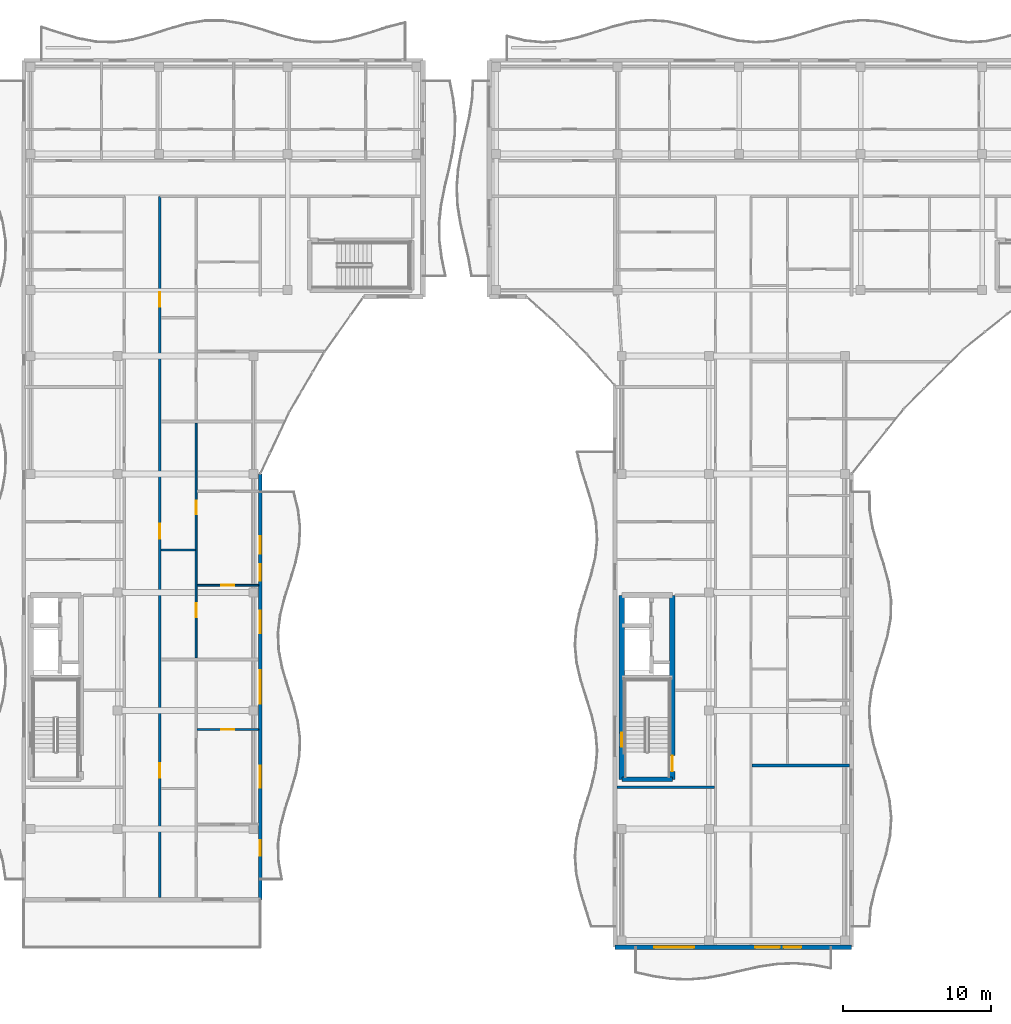
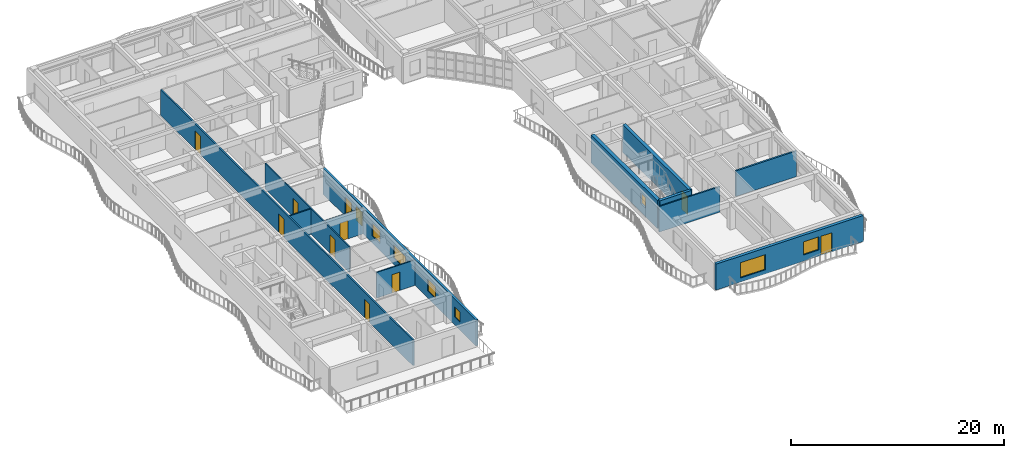
# One storey, part 30 of 72: 12 walls, 10 doors, 8 windows, 18 openings.
"""IFC4 building model written with IfcOpenShell, lengths in metres."""

from ifc_helpers import new_model, si_unit, direction, frame, frame_2d, origin, place, context, subcontext, project, spatial, rectangle, extrude, material, layer, layer_set, type_object, element, fill, save


model = new_model("IFC4")

# Units and contexts
model_context = context("Model", 3, precision=1e-05, world=origin(), true_north=direction((0.0, 1.0)))
body_context = subcontext(model_context, "Body", "Model", "MODEL_VIEW")
ifc_project = project(units=[si_unit("LENGTHUNIT", "METRE"), si_unit("AREAUNIT", "SQUARE_METRE"), si_unit("VOLUMEUNIT", "CUBIC_METRE"), si_unit("PLANEANGLEUNIT", "RADIAN"), si_unit("MASSUNIT", "GRAM", prefix="KILO")], contexts=[model_context])

# Site, building, storey
site_placement = place(None, origin())
site = spatial("IfcSite", under=ifc_project, at=site_placement, CompositionType="ELEMENT")
building_placement = place(site_placement, origin())
building = spatial("IfcBuilding", under=site, at=building_placement, Name="Keldmere Railside Commons", CompositionType="ELEMENT")
storey_placement = place(building_placement, frame((0.0, 0.0, 16.9599609375)))
storey = spatial("IfcBuildingStorey", under=building, at=storey_placement, Name="L05", CompositionType="ELEMENT", Elevation=16.9599609375)

# Wall
ifc_material_1 = material(Name="Acoustic Gypsum Board Partition", Category="gypsum")
ifc_layer_1 = layer(ifc_material_1, 0.179931640625, Name="Acoustic Demising Partition 180")
ifc_layer_set_1 = layer_set([ifc_layer_1], Name="Acoustic Gypsum Board Partition")
wall_type_1 = type_object("IfcWallType", Name="Acoustic Demising Partition 180", PredefinedType="PARTITIONING", material=ifc_layer_set_1)
wall_1_placement = place(storey_placement, frame((57.280029296875, 68.2900390625, 0.0), z_axis=(0.0, 0.0, 1.0), x_axis=(1.0, 0.0, 0.0)))
element("IfcWall", 1, at=wall_1_placement, inside=storey, type_object=wall_type_1, Name="IW-1 IW-L05-0693", PredefinedType="PARTITIONING", context=body_context, shape_type="SweptSolid", body=[
    extrude(rectangle(XDim=6.590087890625, YDim=0.179931640625, at=frame_2d((3.294921875, 0.0))), origin(), (0.0, 0.0, 1.0), 2.93505859375),
])

# Wall, opening, door
ifc_layer_2 = layer(ifc_material_1, 0.1201171875, Name="Apartment Interior Partition 120")
ifc_layer_set_2 = layer_set([ifc_layer_2], Name="Acoustic Gypsum Board Partition")
wall_type_2 = type_object("IfcWallType", Name="Apartment Interior Partition 120", PredefinedType="PARTITIONING", material=ifc_layer_set_2)
wall_2_placement = place(storey_placement, frame((19.719970703125, 70.72998046875, 0.0), z_axis=(0.0, 0.0, 1.0), x_axis=(1.0, 0.0, 0.0)))
wall_2 = element("IfcWall", 2, at=wall_2_placement, inside=storey, type_object=wall_type_2, Name="IW-4 IW-L05-0380", PredefinedType="PARTITIONING", context=body_context, shape_type="SweptSolid", body=[
    extrude(rectangle(XDim=4.159912109375, YDim=0.1201171875, at=frame_2d((2.080078125, 0.0))), origin(), (0.0, 0.0, 1.0), 2.93505859375),
])
opening_1_placement = place(wall_2_placement, frame((1.639892578125, 0.0, 0.0)))
opening_1 = element("IfcOpeningElement", 3, at=opening_1_placement, cuts=wall_2, Name="Opening ID-02", PredefinedType="OPENING", context=body_context, shape_type="SweptSolid", body=[
    extrude(rectangle(XDim=0.8798828125, YDim=2.10009765625, at=frame_2d((0.43994140625, 1.050048828125))), frame((0.0, 0.070068359375, 0.0), z_axis=(0.0, -1.0, 0.0), x_axis=(1.0, 0.0, 0.0)), (0.0, 0.0, 1.0), 0.14013671875),
])
ifc_material_2 = material(Name="Engineered Oak Timber", Category="wood")
door_type_1 = type_object("IfcDoorType", Name="Secondary Bedroom Door 880x2100", OperationType="NOTDEFINED", PredefinedType="DOOR", material=ifc_material_2)
door_1_placement = place(opening_1_placement, origin())
door_1 = element("IfcDoor", 4, at=door_1_placement, inside=storey, type_object=door_type_1, Name="ID-02 IDR-L05-0280", OperationType="SINGLE_SWING_RIGHT", OverallHeight=2.10009765625, OverallWidth=0.8798828125, PredefinedType="DOOR", context=body_context, shape_type="SweptSolid", body=[
    extrude(rectangle(XDim=0.8798828125, YDim=2.10009765625, at=frame_2d((0.43994140625, 1.050048828125))), frame((0.0, 0.02490234375, 0.0), z_axis=(0.0, -1.0, 0.0), x_axis=(1.0, 0.0, 0.0)), (0.0, 0.0, 1.0), 0.050048828125),
])
fill(opening_1, door_1)

# Wall, openings, doors
wall_3_placement = place(storey_placement, frame((19.659912109375, 75.550048828125, 0.0), z_axis=(0.0, 0.0, 1.0), x_axis=(0.0, 1.0, 0.0)))
wall_3 = element("IfcWall", 5, at=wall_3_placement, inside=storey, type_object=wall_type_2, Name="IW-4 IW-L05-0381", PredefinedType="PARTITIONING", context=body_context, shape_type="SweptSolid", body=[
    extrude(rectangle(XDim=15.919921875, YDim=0.1201171875, at=frame_2d((7.9599609375, 0.0))), origin(), (0.0, 0.0, 1.0), 2.93505859375),
])
opening_2_placement = place(wall_3_placement, frame((2.781494140625, 0.0, 0.0)))
opening_2 = element("IfcOpeningElement", 6, at=opening_2_placement, cuts=wall_3, Name="Opening ID-05", PredefinedType="OPENING", context=body_context, shape_type="SweptSolid", body=[
    extrude(rectangle(XDim=0.93994140625, YDim=2.10009765625, at=frame_2d((0.469970703125, 1.050048828125))), frame((0.0, 0.070068359375, 0.0), z_axis=(0.0, -1.0, 0.0), x_axis=(1.0, 0.0, 0.0)), (0.0, 0.0, 1.0), 0.14013671875),
])
opening_3_placement = place(wall_3_placement, frame((9.72802734375, 0.0, 0.0)))
opening_3 = element("IfcOpeningElement", 7, at=opening_3_placement, cuts=wall_3, Name="Opening ID-03", PredefinedType="OPENING", context=body_context, shape_type="SweptSolid", body=[
    extrude(rectangle(XDim=0.919921875, YDim=2.10009765625, at=frame_2d((0.4599609375, 1.050048828125))), frame((0.0, 0.070068359375, 0.0), z_axis=(0.0, -1.0, 0.0), x_axis=(1.0, 0.0, 0.0)), (0.0, 0.0, 1.0), 0.14013671875),
])
door_type_2 = type_object("IfcDoorType", Name="Accessible Bathroom Door 940x2100", OperationType="NOTDEFINED", PredefinedType="DOOR", material=ifc_material_2)
door_2_placement = place(opening_2_placement, origin())
door_2 = element("IfcDoor", 8, at=door_2_placement, inside=storey, type_object=door_type_2, Name="ID-05 IDR-L05-0281", OperationType="SINGLE_SWING_LEFT", OverallHeight=2.10009765625, OverallWidth=0.93994140625, PredefinedType="DOOR", context=body_context, shape_type="SweptSolid", body=[
    extrude(rectangle(XDim=0.93994140625, YDim=2.10009765625, at=frame_2d((0.469970703125, 1.050048828125))), frame((0.0, 0.02490234375, 0.0), z_axis=(0.0, -1.0, 0.0), x_axis=(1.0, 0.0, 0.0)), (0.0, 0.0, 1.0), 0.050048828125),
])
fill(opening_2, door_2)
door_type_3 = type_object("IfcDoorType", Name="Kitchen Pocket-Frame Swing Door 920x2100", OperationType="NOTDEFINED", PredefinedType="DOOR", material=ifc_material_2)
door_3_placement = place(opening_3_placement, origin())
door_3 = element("IfcDoor", 9, at=door_3_placement, inside=storey, type_object=door_type_3, Name="ID-03 IDR-L05-0282", OperationType="SINGLE_SWING_RIGHT", OverallHeight=2.10009765625, OverallWidth=0.919921875, PredefinedType="DOOR", context=body_context, shape_type="SweptSolid", body=[
    extrude(rectangle(XDim=0.919921875, YDim=2.10009765625, at=frame_2d((0.4599609375, 1.050048828125))), frame((0.0, 0.02490234375, 0.0), z_axis=(0.0, -1.0, 0.0), x_axis=(1.0, 0.0, 0.0)), (0.0, 0.0, 1.0), 0.050048828125),
])
fill(opening_3, door_3)

# Wall, opening, door
wall_4_placement = place(storey_placement, frame((19.719970703125, 80.489990234375, 0.0), z_axis=(0.0, 0.0, 1.0), x_axis=(1.0, 0.0, 0.0)))
wall_4 = element("IfcWall", 10, at=wall_4_placement, inside=storey, type_object=wall_type_2, Name="IW-4 IW-L05-0383", PredefinedType="PARTITIONING", context=body_context, shape_type="SweptSolid", body=[
    extrude(rectangle(XDim=4.159912109375, YDim=0.1201171875, at=frame_2d((2.080078125, 0.0))), origin(), (0.0, 0.0, 1.0), 2.93505859375),
])
opening_4_placement = place(wall_4_placement, frame((1.6298828125, 0.0, 0.0)))
opening_4 = element("IfcOpeningElement", 11, at=opening_4_placement, cuts=wall_4, Name="Opening ID-01", PredefinedType="OPENING", context=body_context, shape_type="SweptSolid", body=[
    extrude(rectangle(XDim=0.89990234375, YDim=2.10009765625, at=frame_2d((0.449951171875, 1.050048828125))), frame((0.0, 0.070068359375, 0.0), z_axis=(0.0, -1.0, 0.0), x_axis=(1.0, 0.0, 0.0)), (0.0, 0.0, 1.0), 0.14013671875),
])
door_type_4 = type_object("IfcDoorType", Name="Primary Bedroom Door 900x2100", OperationType="NOTDEFINED", PredefinedType="DOOR", material=ifc_material_2)
door_4_placement = place(opening_4_placement, origin())
door_4 = element("IfcDoor", 12, at=door_4_placement, inside=storey, type_object=door_type_4, Name="ID-01 IDR-L05-0284", OperationType="SINGLE_SWING_RIGHT", OverallHeight=2.10009765625, OverallWidth=0.89990234375, PredefinedType="DOOR", context=body_context, shape_type="SweptSolid", body=[
    extrude(rectangle(XDim=0.89990234375, YDim=2.10009765625, at=frame_2d((0.449951171875, 1.050048828125))), frame((0.0, 0.02490234375, 0.0), z_axis=(0.0, -1.0, 0.0), x_axis=(1.0, 0.0, 0.0)), (0.0, 0.0, 1.0), 0.050048828125),
])
fill(opening_4, door_4)

# Wall, opening, window
ifc_material_3 = material(Name="Concrete H-40 (C40/50)", Category="concrete")
ifc_layer_3 = layer(ifc_material_3, 0.3798828125, Name="Core Shear Wall 380")
ifc_layer_set_3 = layer_set([ifc_layer_3], Name="Concrete H-40 (C40/50)")
wall_type_3 = type_object("IfcWallType", Name="Core Shear Wall 380", PredefinedType="SHEAR", material=ifc_layer_set_3)
wall_5_placement = place(storey_placement, frame((48.4599609375, 67.35009765625, 0.0), z_axis=(0.0, 0.0, 1.0), x_axis=(0.0, 1.0, 0.0)))
wall_5 = element("IfcWall", 13, at=wall_5_placement, inside=storey, type_object=wall_type_3, Name="CW-CORE CORECW-L05-0258", PredefinedType="SHEAR", context=body_context, shape_type="SweptSolid", body=[
    extrude(rectangle(XDim=12.449951171875, YDim=0.3798828125, at=frame_2d((6.22509765625, 0.0))), origin(), (0.0, 0.0, 1.0), 3.199951171875),
])
opening_5_placement = place(wall_5_placement, frame((2.199951171875, 0.0, 0.969970703125)))
opening_5 = element("IfcOpeningElement", 14, at=opening_5_placement, cuts=wall_5, Name="Opening WN-17", PredefinedType="OPENING", context=body_context, shape_type="SweptSolid", body=[
    extrude(rectangle(XDim=0.949951171875, YDim=1.25, at=frame_2d((0.47509765625, 0.625))), frame((0.0, 0.199951171875, 0.0), z_axis=(0.0, -1.0, 0.0), x_axis=(1.0, 0.0, 0.0)), (0.0, 0.0, 1.0), 0.39990234375),
])
ifc_material_4 = material(Name="Low-E Insulated Double Glazing", Category="glass")
window_type_1 = type_object("IfcWindowType", Name="Stair Core Natural Smoke-Vent Window 950x1250", PartitioningType="SINGLE_PANEL", PredefinedType="WINDOW", material=ifc_material_4)
window_1_placement = place(opening_5_placement, origin())
window_1 = element("IfcWindow", 15, at=window_1_placement, inside=storey, type_object=window_type_1, Name="WN-17 WIN-L05-0151", OverallHeight=1.25, OverallWidth=0.949951171875, PartitioningType="SINGLE_PANEL", PredefinedType="WINDOW", context=body_context, shape_type="SweptSolid", body=[
    extrude(rectangle(XDim=0.949951171875, YDim=1.25, at=frame_2d((0.47509765625, 0.625))), frame((0.0, 0.030029296875, 0.0), z_axis=(0.0, -1.0, 0.0), x_axis=(1.0, 0.0, 0.0)), (0.0, 0.0, 1.0), 0.06005859375),
])
fill(opening_5, window_1)

# Wall, openings, doors
ifc_layer_4 = layer(ifc_material_1, 0.159912109375, Name="Corridor Fire Partition 160")
ifc_layer_set_4 = layer_set([ifc_layer_4], Name="Acoustic Gypsum Board Partition")
wall_type_4 = type_object("IfcWallType", Name="Corridor Fire Partition 160", PredefinedType="PARTITIONING", material=ifc_layer_set_4)
wall_6_placement = place(storey_placement, frame((17.199951171875, 59.360107421875, 0.0), z_axis=(0.0, 0.0, 1.0), x_axis=(0.0, 1.0, 0.0)))
wall_6 = element("IfcWall", 16, at=wall_6_placement, inside=storey, type_object=wall_type_4, Name="IW-2 IW-L05-0368", PredefinedType="PARTITIONING", context=body_context, shape_type="SweptSolid", body=[
    extrude(rectangle(XDim=47.43994140625, YDim=0.159912109375, at=frame_2d((23.719970703125, 0.0))), origin(), (0.0, 0.0, 1.0), 2.93505859375),
])
opening_6_placement = place(wall_6_placement, frame((8.110107421875, 0.0, 0.0)))
opening_6 = element("IfcOpeningElement", 17, at=opening_6_placement, cuts=wall_6, Name="Opening FD-7", PredefinedType="OPENING", context=body_context, shape_type="SweptSolid", body=[
    extrude(rectangle(XDim=0.97998046875, YDim=2.14990234375, at=frame_2d((0.489990234375, 1.074951171875))), frame((0.0, 0.08984375, 0.0), z_axis=(0.0, -1.0, 0.0), x_axis=(1.0, 0.0, 0.0)), (0.0, 0.0, 1.0), 0.179931640625),
])
opening_7_placement = place(wall_6_placement, frame((24.260009765625, 0.0, 0.0)))
opening_7 = element("IfcOpeningElement", 18, at=opening_7_placement, cuts=wall_6, Name="Opening FD-8", PredefinedType="OPENING", context=body_context, shape_type="SweptSolid", body=[
    extrude(rectangle(XDim=1.02001953125, YDim=2.14990234375, at=frame_2d((0.510009765625, 1.074951171875))), frame((0.0, 0.08984375, 0.0), z_axis=(0.0, -1.0, 0.0), x_axis=(1.0, 0.0, 0.0)), (0.0, 0.0, 1.0), 0.179931640625),
])
opening_8_placement = place(wall_6_placement, frame((39.969970703125, 0.0, 0.0)))
opening_8 = element("IfcOpeningElement", 19, at=opening_8_placement, cuts=wall_6, Name="Opening FD-7", PredefinedType="OPENING", context=body_context, shape_type="SweptSolid", body=[
    extrude(rectangle(XDim=0.97998046875, YDim=2.14990234375, at=frame_2d((0.489990234375, 1.074951171875))), frame((0.0, 0.08984375, 0.0), z_axis=(0.0, -1.0, 0.0), x_axis=(1.0, 0.0, 0.0)), (0.0, 0.0, 1.0), 0.179931640625),
])
door_type_5 = type_object("IfcDoorType", Name="Adaptable Apartment Entrance Fire Door 1020x2150", OperationType="NOTDEFINED", PredefinedType="DOOR", material=ifc_material_2)
door_5_placement = place(opening_7_placement, origin())
door_5 = element("IfcDoor", 20, at=door_5_placement, inside=storey, type_object=door_type_5, Name="FD-8 IDR-L05-0283", OperationType="SINGLE_SWING_LEFT", OverallHeight=2.14990234375, OverallWidth=1.02001953125, PredefinedType="DOOR", context=body_context, shape_type="SweptSolid", body=[
    extrude(rectangle(XDim=1.02001953125, YDim=2.14990234375, at=frame_2d((0.510009765625, 1.074951171875))), frame((0.0, 0.02490234375, 0.0), z_axis=(0.0, -1.0, 0.0), x_axis=(1.0, 0.0, 0.0)), (0.0, 0.0, 1.0), 0.050048828125),
])
fill(opening_7, door_5)
door_type_6 = type_object("IfcDoorType", Name="Apartment Entrance Acoustic Fire Door 980x2150", OperationType="NOTDEFINED", PredefinedType="DOOR", material=ifc_material_2)
door_6_placement = place(opening_6_placement, origin())
door_6 = element("IfcDoor", 21, at=door_6_placement, inside=storey, type_object=door_type_6, Name="FD-7 IDR-L05-0278", OperationType="SINGLE_SWING_RIGHT", OverallHeight=2.14990234375, OverallWidth=0.97998046875, PredefinedType="DOOR", context=body_context, shape_type="SweptSolid", body=[
    extrude(rectangle(XDim=0.97998046875, YDim=2.14990234375, at=frame_2d((0.489990234375, 1.074951171875))), frame((0.0, 0.02490234375, 0.0), z_axis=(0.0, -1.0, 0.0), x_axis=(1.0, 0.0, 0.0)), (0.0, 0.0, 1.0), 0.050048828125),
])
fill(opening_6, door_6)
door_7_placement = place(opening_8_placement, origin())
door_7 = element("IfcDoor", 22, at=door_7_placement, inside=storey, type_object=door_type_6, Name="FD-7 IDR-L05-0288", OperationType="SINGLE_SWING_RIGHT", OverallHeight=2.14990234375, OverallWidth=0.97998046875, PredefinedType="DOOR", context=body_context, shape_type="SweptSolid", body=[
    extrude(rectangle(XDim=0.97998046875, YDim=2.14990234375, at=frame_2d((0.489990234375, 1.074951171875))), frame((0.0, 0.02490234375, 0.0), z_axis=(0.0, -1.0, 0.0), x_axis=(1.0, 0.0, 0.0)), (0.0, 0.0, 1.0), 0.050048828125),
])
fill(opening_8, door_7)

# Wall, openings, door, windows
ifc_material_5 = material(Name="Concrete H-35 (C35/45)", Category="concrete")
ifc_layer_5 = layer(ifc_material_5, 0.320068359375, Name="Exterior Shear Wall 320")
ifc_layer_set_5 = layer_set([ifc_layer_5], Name="Concrete H-35 (C35/45)")
wall_type_5 = type_object("IfcWallType", Name="Exterior Shear Wall 320", PredefinedType="SHEAR", material=ifc_layer_set_5)
wall_7_placement = place(storey_placement, frame((64.0, 56.0, 0.0), z_axis=(0.0, 0.0, 1.0), x_axis=(-1.0, 0.0, 0.0)))
wall_7 = element("IfcWall", 23, at=wall_7_placement, inside=storey, type_object=wall_type_5, Name="ESW-2 EXTC-L05-0362", PredefinedType="SHEAR", context=body_context, shape_type="SweptSolid", body=[
    extrude(rectangle(XDim=16.0, YDim=0.320068359375, at=frame_2d((8.0, 0.0))), origin(), (0.0, 0.0, 1.0), 2.97998046875),
])
opening_9_placement = place(wall_7_placement, frame((3.39990234375, 0.0, 0.0)))
opening_9 = element("IfcOpeningElement", 24, at=opening_9_placement, cuts=wall_7, Name="Opening BD-01", PredefinedType="OPENING", context=body_context, shape_type="SweptSolid", body=[
    extrude(rectangle(XDim=1.199951171875, YDim=2.199951171875, at=frame_2d((0.60009765625, 1.10009765625))), frame((0.0, 0.169921875, 0.0), z_axis=(0.0, -1.0, 0.0), x_axis=(1.0, 0.0, 0.0)), (0.0, 0.0, 1.0), 0.340087890625),
])
opening_10_placement = place(wall_7_placement, frame((4.85009765625, 0.0, 0.719970703125)))
opening_10 = element("IfcOpeningElement", 25, at=opening_10_placement, cuts=wall_7, Name="Opening WN-40", PredefinedType="OPENING", context=body_context, shape_type="SweptSolid", body=[
    extrude(rectangle(XDim=1.679931640625, YDim=1.5, at=frame_2d((0.83984375, 0.75))), frame((0.0, 0.169921875, 0.0), z_axis=(0.0, -1.0, 0.0), x_axis=(1.0, 0.0, 0.0)), (0.0, 0.0, 1.0), 0.340087890625),
])
opening_11_placement = place(wall_7_placement, frame((10.64990234375, 0.0, 0.469970703125)))
opening_11 = element("IfcOpeningElement", 26, at=opening_11_placement, cuts=wall_7, Name="Opening WN-19", PredefinedType="OPENING", context=body_context, shape_type="SweptSolid", body=[
    extrude(rectangle(XDim=2.699951171875, YDim=1.75, at=frame_2d((1.35009765625, 0.875))), frame((0.0, 0.169921875, 0.0), z_axis=(0.0, -1.0, 0.0), x_axis=(1.0, 0.0, 0.0)), (0.0, 0.0, 1.0), 0.340087890625),
])
ifc_material_6 = material(Name="Thermally Broken Aluminium", Category="aluminium")
door_type_7 = type_object("IfcDoorType", Name="Apartment Living Wave-Balcony Glazed Door 1200x2200", OperationType="NOTDEFINED", PredefinedType="DOOR", material=ifc_material_6)
door_8_placement = place(opening_9_placement, origin())
door_8 = element("IfcDoor", 27, at=door_8_placement, inside=storey, type_object=door_type_7, Name="BD-01 DR-L05-0085", OperationType="SINGLE_SWING_LEFT", OverallHeight=2.199951171875, OverallWidth=1.199951171875, PredefinedType="DOOR", context=body_context, shape_type="SweptSolid", body=[
    extrude(rectangle(XDim=1.199951171875, YDim=2.199951171875, at=frame_2d((0.60009765625, 1.10009765625))), frame((0.0, 0.02490234375, 0.0), z_axis=(0.0, -1.0, 0.0), x_axis=(1.0, 0.0, 0.0)), (0.0, 0.0, 1.0), 0.050048828125),
])
fill(opening_9, door_8)
window_type_2 = type_object("IfcWindowType", Name="Resident Lounge Panorama Window 2700x1750", PartitioningType="SINGLE_PANEL", PredefinedType="WINDOW", material=ifc_material_4)
window_2_placement = place(opening_11_placement, origin())
window_2 = element("IfcWindow", 28, at=window_2_placement, inside=storey, type_object=window_type_2, Name="WN-19 WIN-L05-0249", OverallHeight=1.75, OverallWidth=2.699951171875, PartitioningType="SINGLE_PANEL", PredefinedType="WINDOW", context=body_context, shape_type="SweptSolid", body=[
    extrude(rectangle(XDim=2.699951171875, YDim=1.75, at=frame_2d((1.35009765625, 0.875))), frame((0.0, 0.030029296875, 0.0), z_axis=(0.0, -1.0, 0.0), x_axis=(1.0, 0.0, 0.0)), (0.0, 0.0, 1.0), 0.06005859375),
])
fill(opening_11, window_2)
window_type_3 = type_object("IfcWindowType", Name="Two-Bed Dining Casement Window 1680x1500", PartitioningType="SINGLE_PANEL", PredefinedType="WINDOW", material=ifc_material_4)
window_3_placement = place(opening_10_placement, origin())
window_3 = element("IfcWindow", 29, at=window_3_placement, inside=storey, type_object=window_type_3, Name="WN-40 WIN-L05-0248", OverallHeight=1.5, OverallWidth=1.679931640625, PartitioningType="SINGLE_PANEL", PredefinedType="WINDOW", context=body_context, shape_type="SweptSolid", body=[
    extrude(rectangle(XDim=1.679931640625, YDim=1.5, at=frame_2d((0.83984375, 0.75))), frame((0.0, 0.030029296875, 0.0), z_axis=(0.0, -1.0, 0.0), x_axis=(1.0, 0.0, 0.0)), (0.0, 0.0, 1.0), 0.06005859375),
])
fill(opening_10, window_3)

# Wall
ifc_layer_6 = layer(ifc_material_5, 0.300048828125, Name="Interior Shear Wall 300")
ifc_layer_set_6 = layer_set([ifc_layer_6], Name="Concrete H-35 (C35/45)")
wall_type_6 = type_object("IfcWallType", Name="Interior Shear Wall 300", PredefinedType="SHEAR", material=ifc_layer_set_6)
wall_8_placement = place(storey_placement, frame((51.8701171875, 67.35009765625, 0.0), z_axis=(0.0, 0.0, 1.0), x_axis=(-1.0, 0.0, 0.0)))
element("IfcWall", 30, at=wall_8_placement, inside=storey, type_object=wall_type_6, Name="ISW-2 CORECS-L05-0261", PredefinedType="SHEAR", context=body_context, shape_type="SweptSolid", body=[
    extrude(rectangle(XDim=3.41015625, YDim=0.300048828125, at=frame_2d((1.705078125, 0.0))), origin(), (0.0, 0.0, 1.0), 3.199951171875),
])

# Wall, opening, door
ifc_layer_7 = layer(ifc_material_5, 0.340087890625, Name="Interior Shear Wall 340")
ifc_layer_set_7 = layer_set([ifc_layer_7], Name="Concrete H-35 (C35/45)")
wall_type_7 = type_object("IfcWallType", Name="Interior Shear Wall 340", PredefinedType="SHEAR", material=ifc_layer_set_7)
wall_9_placement = place(storey_placement, frame((51.8701171875, 79.800048828125, 0.0), z_axis=(0.0, 0.0, 1.0), x_axis=(0.0, -1.0, 0.0)))
wall_9 = element("IfcWall", 31, at=wall_9_placement, inside=storey, type_object=wall_type_7, Name="ISW-1 CORECE-L05-0260", PredefinedType="SHEAR", context=body_context, shape_type="SweptSolid", body=[
    extrude(rectangle(XDim=12.449951171875, YDim=0.340087890625, at=frame_2d((6.22509765625, 0.0))), origin(), (0.0, 0.0, 1.0), 3.199951171875),
])
opening_12_placement = place(wall_9_placement, frame((10.85009765625, 0.0, 0.0)))
opening_12 = element("IfcOpeningElement", 32, at=opening_12_placement, cuts=wall_9, Name="Opening FD-1", PredefinedType="OPENING", context=body_context, shape_type="SweptSolid", body=[
    extrude(rectangle(XDim=1.050048828125, YDim=2.14990234375, at=frame_2d((0.52490234375, 1.074951171875))), frame((0.0, 0.179931640625, 0.0), z_axis=(0.0, -1.0, 0.0), x_axis=(1.0, 0.0, 0.0)), (0.0, 0.0, 1.0), 0.360107421875),
])
ifc_material_7 = material(Name="Steel F-24 (S235)", Category="steel")
door_type_8 = type_object("IfcDoorType", Name="Stair Core Fire Door 1050x2150", OperationType="NOTDEFINED", PredefinedType="DOOR", material=ifc_material_7)
door_9_placement = place(opening_12_placement, origin())
door_9 = element("IfcDoor", 33, at=door_9_placement, inside=storey, type_object=door_type_8, Name="FD-1 C1 L05", OperationType="SINGLE_SWING_LEFT", OverallHeight=2.14990234375, OverallWidth=1.050048828125, PredefinedType="DOOR", context=body_context, shape_type="SweptSolid", body=[
    extrude(rectangle(XDim=1.050048828125, YDim=2.14990234375, at=frame_2d((0.52490234375, 1.074951171875))), frame((0.0, 0.02490234375, 0.0), z_axis=(0.0, -1.0, 0.0), x_axis=(1.0, 0.0, 0.0)), (0.0, 0.0, 1.0), 0.050048828125),
])
fill(opening_12, door_9)

# Wall
ifc_layer_8 = layer(ifc_material_1, 0.14990234375, Name="Lobby Rated Partition 150")
ifc_layer_set_8 = layer_set([ifc_layer_8], Name="Acoustic Gypsum Board Partition")
wall_type_8 = type_object("IfcWallType", Name="Lobby Rated Partition 150", PredefinedType="PARTITIONING", material=ifc_layer_set_8)
wall_10_placement = place(storey_placement, frame((48.1298828125, 66.820068359375, 0.0), z_axis=(0.0, 0.0, 1.0), x_axis=(1.0, 0.0, 0.0)))
element("IfcWall", 34, at=wall_10_placement, inside=storey, type_object=wall_type_8, Name="IW-3 IW-L05-0681", PredefinedType="PARTITIONING", context=body_context, shape_type="SweptSolid", body=[
    extrude(rectangle(XDim=6.590087890625, YDim=0.14990234375, at=frame_2d((3.294921875, 0.0))), origin(), (0.0, 0.0, 1.0), 2.93505859375),
])

# Wall, openings, windows, door
ifc_material_8 = material(Name="Architectural Precast Concrete H-35 (C35/45)", Category="concrete")
ifc_layer_9 = layer(ifc_material_8, 0.239990234375, Name="Sand-Ochre Precast Cavity Wall 240")
ifc_layer_set_9 = layer_set([ifc_layer_9], Name="Architectural Precast Concrete H-35 (C35/45)")
wall_type_9 = type_object("IfcWallType", Name="Sand-Ochre Precast Cavity Wall 240", PredefinedType="SOLIDWALL", material=ifc_layer_set_9)
wall_11_placement = place(storey_placement, frame((24.0, 88.0, 0.0), z_axis=(0.0, 0.0, 1.0), x_axis=(0.0, -1.0, 0.0)))
wall_11 = element("IfcWall", 35, at=wall_11_placement, inside=storey, type_object=wall_type_9, Name="EW-2 EXTD-L05-0158", PredefinedType="SOLIDWALL", context=body_context, shape_type="SweptSolid", body=[
    extrude(rectangle(XDim=28.800048828125, YDim=0.239990234375, at=frame_2d((14.39990234375, 0.0))), origin(), (0.0, 0.0, 1.0), 2.97998046875),
])
opening_13_placement = place(wall_11_placement, frame((4.199951171875, 0.0, 0.0)))
opening_13 = element("IfcOpeningElement", 36, at=opening_13_placement, cuts=wall_11, Name="Opening BD-01", PredefinedType="OPENING", context=body_context, shape_type="SweptSolid", body=[
    extrude(rectangle(XDim=1.199951171875, YDim=2.199951171875, at=frame_2d((0.60009765625, 1.10009765625))), frame((0.0, 0.1298828125, 0.0), z_axis=(0.0, -1.0, 0.0), x_axis=(1.0, 0.0, 0.0)), (0.0, 0.0, 1.0), 0.260009765625),
])
opening_14_placement = place(wall_11_placement, frame((6.10009765625, 0.0, 0.6201171875)))
opening_14 = element("IfcOpeningElement", 37, at=opening_14_placement, cuts=wall_11, Name="Opening WN-16", PredefinedType="OPENING", context=body_context, shape_type="SweptSolid", body=[
    extrude(rectangle(XDim=1.10009765625, YDim=1.60009765625, at=frame_2d((0.550048828125, 0.800048828125))), frame((0.0, 0.1298828125, 0.0), z_axis=(0.0, -1.0, 0.0), x_axis=(1.0, 0.0, 0.0)), (0.0, 0.0, 1.0), 0.260009765625),
])
opening_15_placement = place(wall_11_placement, frame((13.27490234375, 0.0, 0.719970703125)))
opening_15 = element("IfcOpeningElement", 38, at=opening_15_placement, cuts=wall_11, Name="Opening WN-12", PredefinedType="OPENING", context=body_context, shape_type="SweptSolid", body=[
    extrude(rectangle(XDim=2.25, YDim=1.5, at=frame_2d((1.125, 0.75))), frame((0.0, 0.1298828125, 0.0), z_axis=(0.0, -1.0, 0.0), x_axis=(1.0, 0.0, 0.0)), (0.0, 0.0, 1.0), 0.260009765625),
])
opening_16_placement = place(wall_11_placement, frame((24.77490234375, 0.0, 0.89990234375)))
opening_16 = element("IfcOpeningElement", 39, at=opening_16_placement, cuts=wall_11, Name="Opening WN-13", PredefinedType="OPENING", context=body_context, shape_type="SweptSolid", body=[
    extrude(rectangle(XDim=1.050048828125, YDim=1.14990234375, at=frame_2d((0.52490234375, 0.574951171875))), frame((0.0, 0.1298828125, 0.0), z_axis=(0.0, -1.0, 0.0), x_axis=(1.0, 0.0, 0.0)), (0.0, 0.0, 1.0), 0.260009765625),
])
opening_17_placement = place(wall_11_placement, frame((19.72509765625, 0.0, 0.820068359375)))
opening_17 = element("IfcOpeningElement", 40, at=opening_17_placement, cuts=wall_11, Name="Opening WN-06", PredefinedType="OPENING", context=body_context, shape_type="SweptSolid", body=[
    extrude(rectangle(XDim=1.5, YDim=1.39990234375, at=frame_2d((0.75, 0.699951171875))), frame((0.0, 0.1298828125, 0.0), z_axis=(0.0, -1.0, 0.0), x_axis=(1.0, 0.0, 0.0)), (0.0, 0.0, 1.0), 0.260009765625),
])
opening_18_placement = place(wall_11_placement, frame((9.2548828125, 0.0, 0.820068359375)))
opening_18 = element("IfcOpeningElement", 41, at=opening_18_placement, cuts=wall_11, Name="Opening WN-06", PredefinedType="OPENING", context=body_context, shape_type="SweptSolid", body=[
    extrude(rectangle(XDim=1.5, YDim=1.39990234375, at=frame_2d((0.75, 0.699951171875))), frame((0.0, 0.1298828125, 0.0), z_axis=(0.0, -1.0, 0.0), x_axis=(1.0, 0.0, 0.0)), (0.0, 0.0, 1.0), 0.260009765625),
])
window_type_4 = type_object("IfcWindowType", Name="Apartment Kitchen Casement Window 1050x1150", PartitioningType="SINGLE_PANEL", PredefinedType="WINDOW", material=ifc_material_4)
window_4_placement = place(opening_16_placement, origin())
window_4 = element("IfcWindow", 42, at=window_4_placement, inside=storey, type_object=window_type_4, Name="WN-13 WIN-L05-0103", OverallHeight=1.14990234375, OverallWidth=1.050048828125, PartitioningType="SINGLE_PANEL", PredefinedType="WINDOW", context=body_context, shape_type="SweptSolid", body=[
    extrude(rectangle(XDim=1.050048828125, YDim=1.14990234375, at=frame_2d((0.52490234375, 0.574951171875))), frame((0.0, 0.030029296875, 0.0), z_axis=(0.0, -1.0, 0.0), x_axis=(1.0, 0.0, 0.0)), (0.0, 0.0, 1.0), 0.06005859375),
])
fill(opening_16, window_4)
door_10_placement = place(opening_13_placement, origin())
door_10 = element("IfcDoor", 43, at=door_10_placement, inside=storey, type_object=door_type_7, Name="BD-01 DR-L05-0032", OperationType="SINGLE_SWING_RIGHT", OverallHeight=2.199951171875, OverallWidth=1.199951171875, PredefinedType="DOOR", context=body_context, shape_type="SweptSolid", body=[
    extrude(rectangle(XDim=1.199951171875, YDim=2.199951171875, at=frame_2d((0.60009765625, 1.10009765625))), frame((0.0, 0.02490234375, 0.0), z_axis=(0.0, -1.0, 0.0), x_axis=(1.0, 0.0, 0.0)), (0.0, 0.0, 1.0), 0.050048828125),
])
fill(opening_13, door_10)
window_type_5 = type_object("IfcWindowType", Name="Corridor End Daylight Window 1100x1600", PartitioningType="SINGLE_PANEL", PredefinedType="WINDOW", material=ifc_material_4)
window_5_placement = place(opening_14_placement, origin())
window_5 = element("IfcWindow", 44, at=window_5_placement, inside=storey, type_object=window_type_5, Name="WN-16 WIN-L05-0101", OverallHeight=1.60009765625, OverallWidth=1.10009765625, PartitioningType="SINGLE_PANEL", PredefinedType="WINDOW", context=body_context, shape_type="SweptSolid", body=[
    extrude(rectangle(XDim=1.10009765625, YDim=1.60009765625, at=frame_2d((0.550048828125, 0.800048828125))), frame((0.0, 0.030029296875, 0.0), z_axis=(0.0, -1.0, 0.0), x_axis=(1.0, 0.0, 0.0)), (0.0, 0.0, 1.0), 0.06005859375),
])
fill(opening_14, window_5)
window_type_6 = type_object("IfcWindowType", Name="Primary Bedroom North Window 1500x1400", PartitioningType="SINGLE_PANEL", PredefinedType="WINDOW", material=ifc_material_4)
window_6_placement = place(opening_17_placement, origin())
window_6 = element("IfcWindow", 45, at=window_6_placement, inside=storey, type_object=window_type_6, Name="WN-06 WIN-L05-9038", OverallHeight=1.39990234375, OverallWidth=1.5, PartitioningType="SINGLE_PANEL", PredefinedType="WINDOW", context=body_context, shape_type="SweptSolid", body=[
    extrude(rectangle(XDim=1.5, YDim=1.39990234375, at=frame_2d((0.75, 0.699951171875))), frame((0.0, 0.030029296875, 0.0), z_axis=(0.0, -1.0, 0.0), x_axis=(1.0, 0.0, 0.0)), (0.0, 0.0, 1.0), 0.06005859375),
])
fill(opening_17, window_6)
window_7_placement = place(opening_18_placement, origin())
window_7 = element("IfcWindow", 46, at=window_7_placement, inside=storey, type_object=window_type_6, Name="WN-06 WIN-L05-9039", OverallHeight=1.39990234375, OverallWidth=1.5, PartitioningType="SINGLE_PANEL", PredefinedType="WINDOW", context=body_context, shape_type="SweptSolid", body=[
    extrude(rectangle(XDim=1.5, YDim=1.39990234375, at=frame_2d((0.75, 0.699951171875))), frame((0.0, 0.030029296875, 0.0), z_axis=(0.0, -1.0, 0.0), x_axis=(1.0, 0.0, 0.0)), (0.0, 0.0, 1.0), 0.06005859375),
])
fill(opening_18, window_7)
window_type_7 = type_object("IfcWindowType", Name="Studio Court Ribbon Window 2250x1500", PartitioningType="SINGLE_PANEL", PredefinedType="WINDOW", material=ifc_material_4)
window_8_placement = place(opening_15_placement, origin())
window_8 = element("IfcWindow", 47, at=window_8_placement, inside=storey, type_object=window_type_7, Name="WN-12 WIN-L05-0102", OverallHeight=1.5, OverallWidth=2.25, PartitioningType="SINGLE_PANEL", PredefinedType="WINDOW", context=body_context, shape_type="SweptSolid", body=[
    extrude(rectangle(XDim=2.25, YDim=1.5, at=frame_2d((1.125, 0.75))), frame((0.0, 0.030029296875, 0.0), z_axis=(0.0, -1.0, 0.0), x_axis=(1.0, 0.0, 0.0)), (0.0, 0.0, 1.0), 0.06005859375),
])
fill(opening_15, window_8)

# Wall
ifc_layer_10 = layer(ifc_material_1, 0.139892578125, Name="Wet-Room Sanitary Partition 140")
ifc_layer_set_10 = layer_set([ifc_layer_10], Name="Acoustic Gypsum Board Partition")
wall_type_10 = type_object("IfcWallType", Name="Wet-Room Sanitary Partition 140", PredefinedType="PARTITIONING", material=ifc_layer_set_10)
wall_12_placement = place(storey_placement, frame((17.280029296875, 82.8701171875, 0.0), z_axis=(0.0, 0.0, 1.0), x_axis=(1.0, 0.0, 0.0)))
element("IfcWall", 48, at=wall_12_placement, inside=storey, type_object=wall_type_10, Name="IW-5 IW-L05-0382", PredefinedType="PARTITIONING", context=body_context, shape_type="SweptSolid", body=[
    extrude(rectangle(XDim=2.320068359375, YDim=0.139892578125, at=frame_2d((1.16015625, 0.0))), origin(), (0.0, 0.0, 1.0), 2.93505859375),
])

save(model, "model.ifc")
